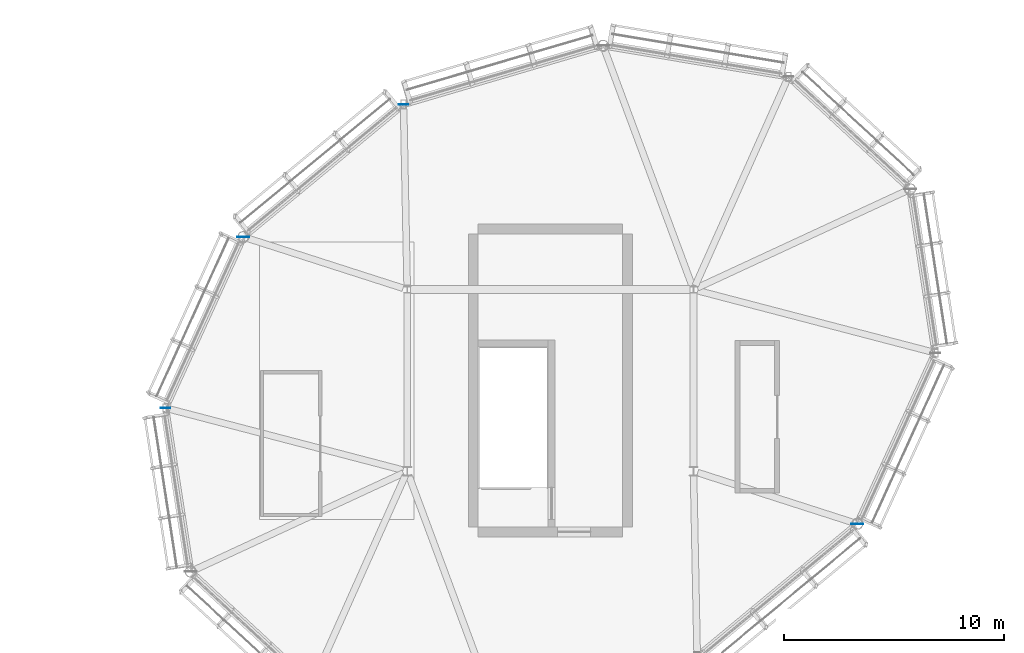
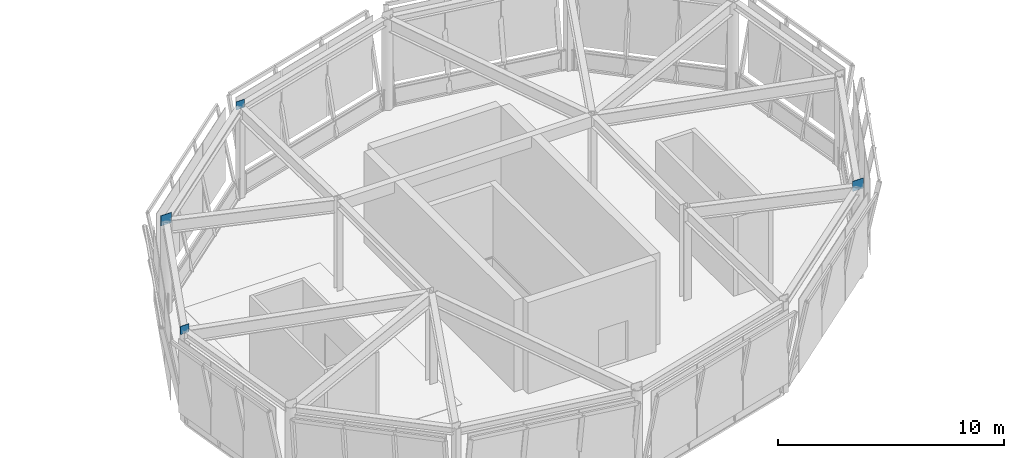
# One storey, part 97 of 113: 4 plates.
"""IFC4 building model written with IfcOpenShell, lengths in metres."""

from ifc_helpers import new_model, si_unit, direction, frame, origin, origin_2d, place, context, subcontext, project, spatial, rectangle, extrude, material, layer, layer_set, type_object, element, save


model = new_model("IFC4")

# Units and contexts
model_context = context("Model", 3, precision=1e-05, world=origin(), true_north=direction((0.0, 1.0)))
body_context = subcontext(model_context, "Body", "Model", "MODEL_VIEW")
ifc_project = project(units=[si_unit("LENGTHUNIT", "METRE"), si_unit("AREAUNIT", "SQUARE_METRE"), si_unit("VOLUMEUNIT", "CUBIC_METRE"), si_unit("PLANEANGLEUNIT", "RADIAN"), si_unit("MASSUNIT", "GRAM", prefix="KILO")], contexts=[model_context])

# Site, building, storey
site_placement = place(None, origin())
site = spatial("IfcSite", under=ifc_project, at=site_placement, CompositionType="ELEMENT")
building_placement = place(site_placement, origin())
building = spatial("IfcBuilding", under=site, at=building_placement, Name="Linyun Crest Stadium", CompositionType="ELEMENT")
storey_placement = place(building_placement, frame((0.0, 0.0, 26.39990234375)))
storey = spatial("IfcBuildingStorey", under=building, at=storey_placement, Name="L06", CompositionType="ELEMENT", Elevation=26.39990234375)

# Plates
ifc_material = material(Name="Steel Q420C", Category="steel")
ifc_layer = layer(ifc_material, 0.02392578125)
ifc_layer_set = layer_set([ifc_layer], Name="Steel Q420C")
plate_type = type_object("IfcPlateType", Name="EP02", PredefinedType="USERDEFINED", material=ifc_layer_set)
plate_1_placement = place(storey_placement, frame((66.833984375, 97.1630859375, 4.72509765625), z_axis=(0.0, 0.0, 1.0), x_axis=(1.0, 0.0, 0.0)))
element("IfcPlate", 1, at=plate_1_placement, inside=storey, type_object=plate_type, Name="Hollow section cap end plate EP02 418", ObjectType="END PLATE", PredefinedType="USERDEFINED", context=body_context, shape_type="SweptSolid", body=[
    extrude(rectangle(XDim=0.43994140625, YDim=0.02392578125, at=origin_2d()), origin(), (0.0, 0.0, 1.0), 0.43994140625),
])
plate_2_placement = place(storey_placement, frame((59.55908203125, 91.139892578125, 4.6708984375), z_axis=(0.0, 0.0, 1.0), x_axis=(1.0, 0.0, 0.0)))
element("IfcPlate", 2, at=plate_2_placement, inside=storey, type_object=plate_type, Name="Hollow section cap end plate EP02 423", ObjectType="END PLATE", PredefinedType="USERDEFINED", context=body_context, shape_type="SweptSolid", body=[
    extrude(rectangle(XDim=0.548095703125, YDim=0.02392578125, at=origin_2d()), origin(), (0.0, 0.0, 1.0), 0.548095703125),
])
plate_3_placement = place(storey_placement, frame((56.02099609375, 83.3720703125, 4.72509765625), z_axis=(0.0, 0.0, 1.0), x_axis=(1.0, 0.0, 0.0)))
element("IfcPlate", 3, at=plate_3_placement, inside=storey, type_object=plate_type, Name="Hollow section cap end plate EP02 428", ObjectType="END PLATE", PredefinedType="USERDEFINED", context=body_context, shape_type="SweptSolid", body=[
    extrude(rectangle(XDim=0.43994140625, YDim=0.02392578125, at=origin_2d()), origin(), (0.0, 0.0, 1.0), 0.43994140625),
])
plate_4_placement = place(storey_placement, frame((87.44091796875, 78.110107421875, 4.6708984375), z_axis=(0.0, 0.0, 1.0), x_axis=(1.0, 0.0, 0.0)))
element("IfcPlate", 4, at=plate_4_placement, inside=storey, type_object=plate_type, Name="Hollow section cap end plate EP02 453", ObjectType="END PLATE", PredefinedType="USERDEFINED", context=body_context, shape_type="SweptSolid", body=[
    extrude(rectangle(XDim=0.548095703125, YDim=0.02392578125, at=origin_2d()), origin(), (0.0, 0.0, 1.0), 0.548095703125),
])

save(model, "model.ifc")
